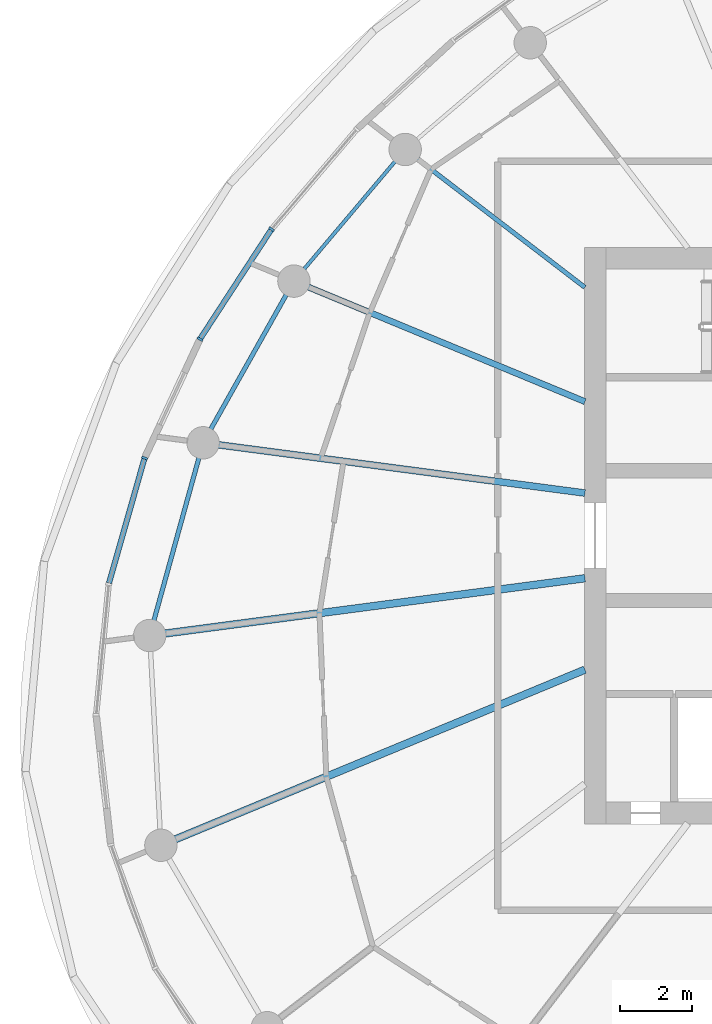
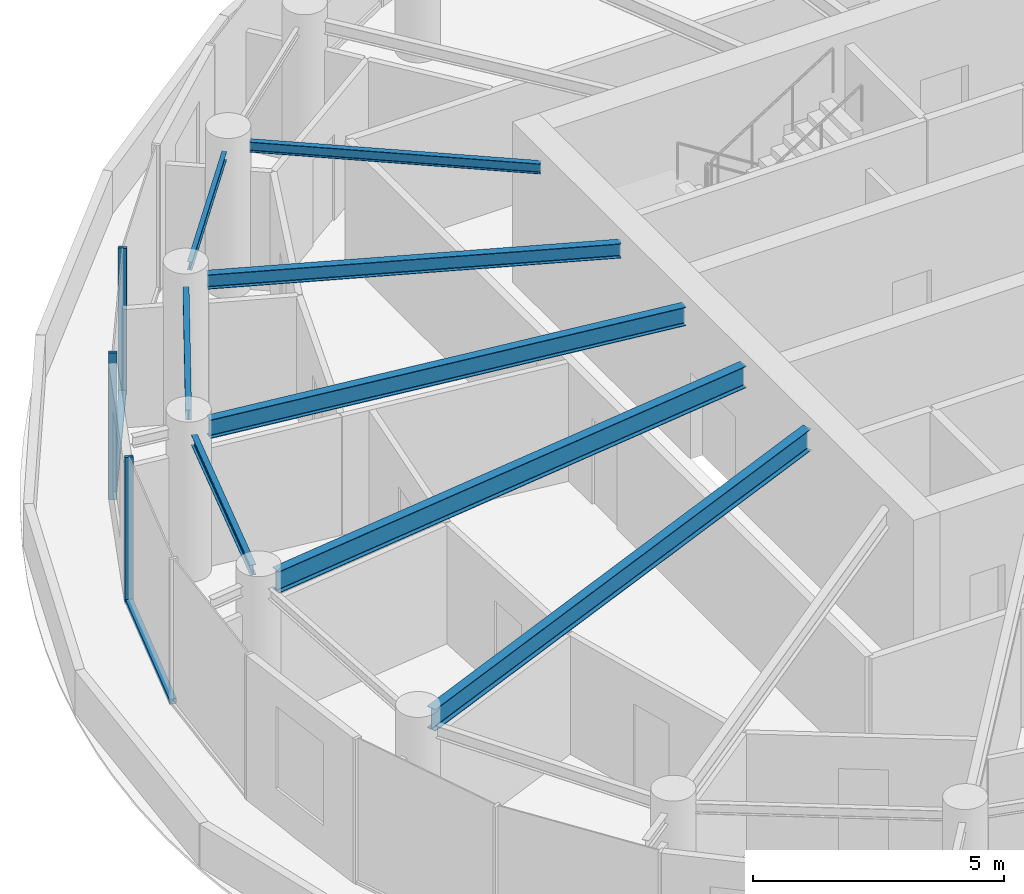
# One storey, part 3 of 19: 8 beams, 5 members, 1 element without a shape of its own.
"""IFC4 building model written with IfcOpenShell, lengths in metres."""

from ifc_helpers import new_model, si_unit, direction, frame, origin, origin_2d, place, context, subcontext, project, spatial, rectangle, i_section, extrude, source, transform, mapped, material, layer, layer_set, material_profile, profile_set, type_object, element, aggregate, save


model = new_model("IFC4")

# Units and contexts
model_context = context("Model", 3, precision=1e-05, world=origin(), true_north=direction((0.0, 1.0)))
body_context = subcontext(model_context, "Body", "Model", "MODEL_VIEW")
ifc_project = project(units=[si_unit("LENGTHUNIT", "METRE"), si_unit("AREAUNIT", "SQUARE_METRE"), si_unit("VOLUMEUNIT", "CUBIC_METRE"), si_unit("PLANEANGLEUNIT", "RADIAN"), si_unit("MASSUNIT", "GRAM", prefix="KILO")], contexts=[model_context])

# Site, building, storey
site_placement = place(None, origin())
site = spatial("IfcSite", under=ifc_project, at=site_placement, CompositionType="ELEMENT")
building_placement = place(site_placement, origin())
building = spatial("IfcBuilding", under=site, at=building_placement, Name="Spindrift Exchange Tower", CompositionType="ELEMENT")
storey_placement = place(building_placement, frame((0.0, 0.0, 183.800048828125)))
storey = spatial("IfcBuildingStorey", under=building, at=storey_placement, Name="L44", CompositionType="ELEMENT", Elevation=183.800048828125)

# Beams
ifc_material_1 = material(Name="Steel Grade 300", Category="steel")
ifc_material_profile_1 = material_profile(ifc_material_1, i_section(OverallWidth=0.208984375, OverallDepth=0.528076171875, WebThickness=0.009521484375, FlangeThickness=0.01318359375, FilletRadius=0.013916015625, at=origin_2d()), Name="530UB82.0")
ifc_profile_set_1 = profile_set([ifc_material_profile_1], Name="Steel Grade 300")
beam_type_1 = type_object("IfcBeamType", Name="Floor Beam 530UB82.0 Steel Grade 300", PredefinedType="BEAM", material=ifc_profile_set_1)
shared_shape_1 = source(origin(), body_context, "Body", "SweptSolid", [
    extrude(i_section(OverallWidth=0.208984375, OverallDepth=0.528076171875, WebThickness=0.009521484375, FlangeThickness=0.01318359375, FilletRadius=0.013916015625, at=origin_2d()), origin(), (0.0, 0.0, 1.0), 11.75634765625),
])
beam_1_placement = place(storey_placement, frame((43.019775390625, 46.817626953125, 3.31591796875), z_axis=(-0.991445811455, -0.13051897543, 0.0), x_axis=(0.13051897543, -0.991445811455, 0.0)))
element("IfcBeam", 1, at=beam_1_placement, inside=storey, type_object=beam_type_1, Name="L44 radial beam R13A", PredefinedType="BEAM", context=body_context, shape_type="MappedRepresentation", body=[
    mapped(shared_shape_1, transform((0.0, 0.0, 0.0), scale=1.0)),
])
shared_shape_2 = source(origin(), body_context, "Body", "SweptSolid", [
    extrude(i_section(OverallWidth=0.208984375, OverallDepth=0.528076171875, WebThickness=0.009521484375, FlangeThickness=0.01318359375, FilletRadius=0.013916015625, at=origin_2d()), origin(), (0.0, 0.0, 1.0), 12.3115234375),
])
beam_2_placement = place(storey_placement, frame((43.0185546875, 44.27978515625, 3.31591796875), z_axis=(-0.923878099838, -0.382686891126, 0.0), x_axis=(0.382686891126, -0.923878099838, 0.0)))
element("IfcBeam", 2, at=beam_2_placement, inside=storey, type_object=beam_type_1, Name="L44 radial beam R14A", PredefinedType="BEAM", context=body_context, shape_type="MappedRepresentation", body=[
    mapped(shared_shape_2, transform((0.0, 0.0, 0.0), scale=1.0)),
])
ifc_material_profile_2 = material_profile(ifc_material_1, i_section(OverallWidth=0.1240234375, OverallDepth=0.248046875, WebThickness=0.0048828125, FlangeThickness=0.008056640625, FilletRadius=0.011962890625, at=origin_2d()), Name="250UB25.7")
ifc_profile_set_2 = profile_set([ifc_material_profile_2], Name="Steel Grade 300")
beam_type_2 = type_object("IfcBeamType", Name="Floor Beam 250UB25.7 Steel Grade 300", PredefinedType="BEAM", material=ifc_profile_set_2)
shared_shape_3 = source(origin(), body_context, "Body", "SweptSolid", [
    extrude(i_section(OverallWidth=0.1240234375, OverallDepth=0.248046875, WebThickness=0.0048828125, FlangeThickness=0.008056640625, FilletRadius=0.011962890625, at=origin_2d()), origin(), (0.0, 0.0, 1.0), 5.855712890625),
])
beam_3_placement = place(storey_placement, frame((43.015869140625, 54.893798828125, 3.4560546875), z_axis=(-0.793362708479, 0.608749219954, 0.0), x_axis=(-0.608749219954, -0.793362708479, 0.0)))
element("IfcBeam", 3, at=beam_3_placement, inside=storey, type_object=beam_type_2, Name="L44 radial beam R10A", PredefinedType="BEAM", context=body_context, shape_type="MappedRepresentation", body=[
    mapped(shared_shape_3, transform((0.0, 0.0, 0.0), scale=1.0)),
])
ifc_material_profile_3 = material_profile(ifc_material_1, i_section(OverallWidth=0.1708984375, OverallDepth=0.35205078125, WebThickness=0.0068359375, FlangeThickness=0.009765625, FilletRadius=0.013916015625, at=origin_2d()), Name="360UB44.7")
ifc_profile_set_3 = profile_set([ifc_material_profile_3], Name="Steel Grade 300")
beam_type_3 = type_object("IfcBeamType", Name="Floor Beam 360UB44.7 Steel Grade 300", PredefinedType="BEAM", material=ifc_profile_set_3)
shared_shape_4 = source(origin(), body_context, "Body", "SweptSolid", [
    extrude(i_section(OverallWidth=0.1708984375, OverallDepth=0.35205078125, WebThickness=0.0068359375, FlangeThickness=0.009765625, FilletRadius=0.013916015625, at=origin_2d()), origin(), (0.0, 0.0, 1.0), 8.3134765625),
])
beam_4_placement = place(storey_placement, frame((43.0185546875, 51.72021484375, 3.404052734375), z_axis=(-0.923881179957, 0.382679455055, 0.0), x_axis=(-0.382679455055, -0.923881179957, 0.0)))
element("IfcBeam", 4, at=beam_4_placement, inside=storey, type_object=beam_type_3, Name="L44 radial beam R11A", PredefinedType="BEAM", context=body_context, shape_type="MappedRepresentation", body=[
    mapped(shared_shape_4, transform((0.0, 0.0, 0.0), scale=1.0)),
])
ifc_material_profile_4 = material_profile(ifc_material_1, i_section(OverallWidth=0.18994140625, OverallDepth=0.4541015625, WebThickness=0.008544921875, FlangeThickness=0.0126953125, FilletRadius=0.013916015625, at=origin_2d()), Name="460UB67.1")
ifc_profile_set_4 = profile_set([ifc_material_profile_4], Name="Steel Grade 300")
beam_type_4 = type_object("IfcBeamType", Name="Floor Beam 460UB67.1 Steel Grade 300", PredefinedType="BEAM", material=ifc_profile_set_4)
shared_shape_5 = source(origin(), body_context, "Body", "SweptSolid", [
    extrude(i_section(OverallWidth=0.18994140625, OverallDepth=0.4541015625, WebThickness=0.008544921875, FlangeThickness=0.0126953125, FilletRadius=0.013916015625, at=origin_2d()), origin(), (0.0, 0.0, 1.0), 10.262451171875),
])
beam_5_placement = place(storey_placement, frame((43.019775390625, 49.182373046875, 3.35302734375), z_axis=(-0.991446763371, 0.130511744304, 0.0), x_axis=(-0.130511744304, -0.991446763371, 0.0)))
element("IfcBeam", 5, at=beam_5_placement, inside=storey, type_object=beam_type_4, Name="L44 radial beam R12A", PredefinedType="BEAM", context=body_context, shape_type="MappedRepresentation", body=[
    mapped(shared_shape_5, transform((0.0, 0.0, 0.0), scale=1.0)),
])
ifc_material_profile_5 = material_profile(ifc_material_1, i_section(OverallWidth=0.09912109375, OverallDepth=0.197998046875, WebThickness=0.00439453125, FlangeThickness=0.007080078125, FilletRadius=0.010986328125, at=origin_2d()), Name="200UB18.2")
ifc_profile_set_5 = profile_set([ifc_material_profile_5], Name="Steel Grade 300")
beam_type_5 = type_object("IfcBeamType", Name="Edge Beam 200UB18.2 Steel Grade 300", PredefinedType="SPANDREL", material=ifc_profile_set_5)
shared_shape_6 = source(origin(), body_context, "Body", "SweptSolid", [
    extrude(i_section(OverallWidth=0.09912109375, OverallDepth=0.197998046875, WebThickness=0.00439453125, FlangeThickness=0.007080078125, FilletRadius=0.010986328125, at=origin_2d()), origin(), (0.0, 0.0, 1.0), 3.92431640625),
])
beam_6_placement = place(storey_placement, frame((37.75146484375, 58.391845703125, 3.48095703125), z_axis=(-0.645498720032, -0.763761351757, 0.0), x_axis=(0.763761351757, -0.645498720032, 0.0)))
element("IfcBeam", 6, at=beam_6_placement, inside=storey, type_object=beam_type_5, Name="L44 edge beam E10", PredefinedType="SPANDREL", context=body_context, shape_type="MappedRepresentation", body=[
    mapped(shared_shape_6, transform((0.0, 0.0, 0.0), scale=1.0)),
])
ifc_material_profile_6 = material_profile(ifc_material_1, i_section(OverallWidth=0.1240234375, OverallDepth=0.248046875, WebThickness=0.0048828125, FlangeThickness=0.008056640625, FilletRadius=0.011962890625, at=origin_2d()), Name="250UB25.7")
ifc_profile_set_6 = profile_set([ifc_material_profile_6], Name="Steel Grade 300")
beam_type_6 = type_object("IfcBeamType", Name="Edge Beam 250UB25.7 Steel Grade 300", PredefinedType="SPANDREL", material=ifc_profile_set_6)
shared_shape_7 = source(origin(), body_context, "Body", "SweptSolid", [
    extrude(i_section(OverallWidth=0.1240234375, OverallDepth=0.248046875, WebThickness=0.0048828125, FlangeThickness=0.008056640625, FilletRadius=0.011962890625, at=origin_2d()), origin(), (0.0, 0.0, 1.0), 4.2880859375),
])
beam_7_placement = place(storey_placement, frame((34.72998046875, 54.69140625, 3.4560546875), z_axis=(-0.489804347673, -0.871832381253, 0.0), x_axis=(0.871832381253, -0.489804347673, 0.0)))
element("IfcBeam", 7, at=beam_7_placement, inside=storey, type_object=beam_type_6, Name="L44 edge beam E11", PredefinedType="SPANDREL", context=body_context, shape_type="MappedRepresentation", body=[
    mapped(shared_shape_7, transform((0.0, 0.0, 0.0), scale=1.0)),
])
shared_shape_8 = source(origin(), body_context, "Body", "SweptSolid", [
    extrude(i_section(OverallWidth=0.1240234375, OverallDepth=0.248046875, WebThickness=0.0048828125, FlangeThickness=0.008056640625, FilletRadius=0.011962890625, at=origin_2d()), origin(), (0.0, 0.0, 1.0), 4.69189453125),
])
beam_8_placement = place(storey_placement, frame((32.30419921875, 50.16357421875, 3.4560546875), z_axis=(-0.266774248618, -0.963759046792, 0.0), x_axis=(0.963759046792, -0.266774248618, 0.0)))
element("IfcBeam", 8, at=beam_8_placement, inside=storey, type_object=beam_type_6, Name="L44 edge beam E12", PredefinedType="SPANDREL", context=body_context, shape_type="MappedRepresentation", body=[
    mapped(shared_shape_8, transform((0.0, 0.0, 0.0), scale=1.0)),
])

# Curtain wall, members
ifc_material_2 = material(Name="Fritted laminated glass with bronze frame", Category="glass")
ifc_layer = layer(ifc_material_2, 0.169921875)
ifc_layer_set = layer_set([ifc_layer], Name="ZONE 4 BRONZE FRITTED WALL")
curtain_wall_type = type_object("IfcCurtainWallType", Name="ZONE 4 BRONZE FRITTED WALL", PredefinedType="NOTDEFINED", material=ifc_layer_set)
curtain_wall_placement = place(storey_placement, origin())
curtain_wall = element("IfcCurtainWall", 9, at=curtain_wall_placement, inside=storey, type_object=curtain_wall_type, Name="L44 Zone 4 Bronze Fritted Wall run 2", PredefinedType="NOTDEFINED")
ifc_material_3 = material(Name="Bronze anodised aluminium", Category="aluminium")
ifc_material_profile_7 = material_profile(ifc_material_3, rectangle(XDim=0.06494140625, YDim=0.169921875, at=origin_2d()), Name="ZONE 4 BRONZE FRITTED WALL MULLION 65X170")
ifc_profile_set_7 = profile_set([ifc_material_profile_7], Name="Bronze anodised aluminium")
member_type_1 = type_object("IfcMemberType", Name="ZONE 4 BRONZE FRITTED WALL MULLION 65X170", PredefinedType="MULLION", material=ifc_profile_set_7)
shared_shape_9 = source(origin(), body_context, "Body", "SweptSolid", [
    extrude(rectangle(XDim=0.06494140625, YDim=0.169921875, at=origin_2d()), origin(), (0.0, 0.0, 1.0), 3.579833984375),
])
member_1_placement = place(storey_placement, frame((34.319091796875, 56.5078125, 0.0), z_axis=(0.0, 0.0, 1.0), x_axis=(-0.598682304344, -0.800986578206, 0.0)))
member_1 = element("IfcMember", 10, at=member_1_placement, type_object=member_type_1, Name="L44 mullion CW-4.7", PredefinedType="MULLION", context=body_context, shape_type="MappedRepresentation", body=[
    mapped(shared_shape_9, transform((0.0, 0.0, 0.0), scale=1.0)),
])
member_2_placement = place(storey_placement, frame((32.331787109375, 53.45556640625, 0.0), z_axis=(0.0, 0.0, 1.0), x_axis=(-0.485100046982, -0.874458657924, 0.0)))
member_2 = element("IfcMember", 11, at=member_2_placement, type_object=member_type_1, Name="L44 mullion CW-4.8", PredefinedType="MULLION", context=body_context, shape_type="MappedRepresentation", body=[
    mapped(shared_shape_9, transform((0.0, 0.0, 0.0), scale=1.0)),
])
member_3_placement = place(storey_placement, frame((30.794677734375, 50.154296875, 0.0), z_axis=(0.0, 0.0, 1.0), x_axis=(-0.34892833842, -0.937149408925, 0.0)))
member_3 = element("IfcMember", 12, at=member_3_placement, type_object=member_type_1, Name="L44 mullion CW-4.9", PredefinedType="MULLION", context=body_context, shape_type="MappedRepresentation", body=[
    mapped(shared_shape_9, transform((0.0, 0.0, 0.0), scale=1.0)),
])
ifc_material_profile_8 = material_profile(ifc_material_3, rectangle(XDim=0.14990234375, YDim=0.125, at=origin_2d()), Name="ZONE 4 BRONZE FRITTED WALL TRANSOM 150X125")
ifc_profile_set_8 = profile_set([ifc_material_profile_8], Name="Bronze anodised aluminium")
member_type_2 = type_object("IfcMemberType", Name="ZONE 4 BRONZE FRITTED WALL TRANSOM 150X125", PredefinedType="USERDEFINED", material=ifc_profile_set_8)
shared_shape_10 = source(origin(), body_context, "Body", "SweptSolid", [
    extrude(rectangle(XDim=0.14990234375, YDim=0.125, at=origin_2d()), origin(), (0.0, 0.0, 1.0), 3.5771484375),
])
member_4_placement = place(storey_placement, frame((34.301513671875, 56.48046875, 0.0625), z_axis=(-0.545674286072, -0.837997358898, 0.0), x_axis=(0.837997358898, -0.545674286072, 0.0)))
member_4 = element("IfcMember", 13, at=member_4_placement, type_object=member_type_2, Name="L44 transom CW-4.7", ObjectType="TRANSOM", PredefinedType="USERDEFINED", context=body_context, shape_type="MappedRepresentation", body=[
    mapped(shared_shape_10, transform((0.0, 0.0, 0.0), scale=1.0)),
])
shared_shape_11 = source(origin(), body_context, "Body", "SweptSolid", [
    extrude(rectangle(XDim=0.14990234375, YDim=0.125, at=origin_2d()), origin(), (0.0, 0.0, 1.0), 3.575439453125),
])
member_5_placement = place(storey_placement, frame((30.785888671875, 50.123046875, 0.0625), z_axis=(-0.273611661602, -0.961840245901, 0.0), x_axis=(0.961840245901, -0.273611661602, 0.0)))
member_5 = element("IfcMember", 14, at=member_5_placement, type_object=member_type_2, Name="L44 transom CW-4.9", ObjectType="TRANSOM", PredefinedType="USERDEFINED", context=body_context, shape_type="MappedRepresentation", body=[
    mapped(shared_shape_11, transform((0.0, 0.0, 0.0), scale=1.0)),
])
aggregate(curtain_wall, [member_1, member_4, member_2, member_3, member_5])

save(model, "model.ifc")
